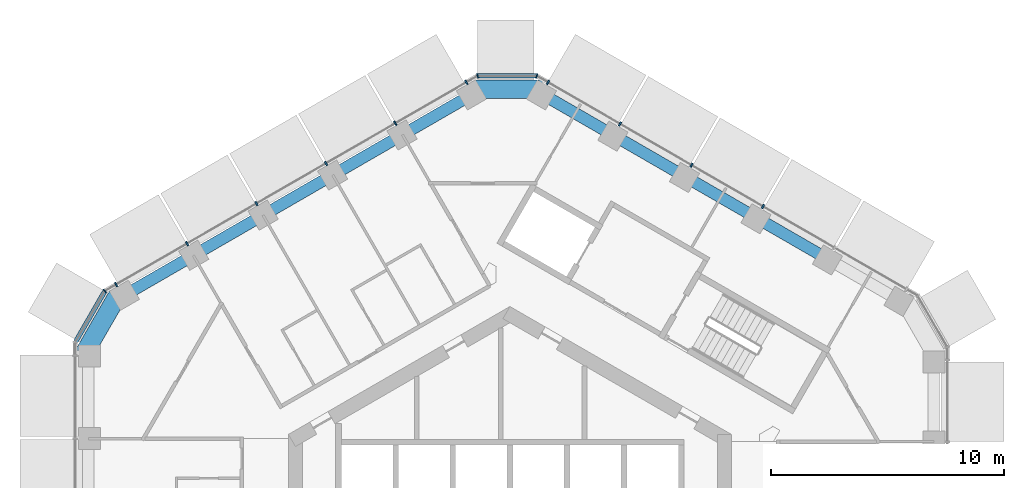
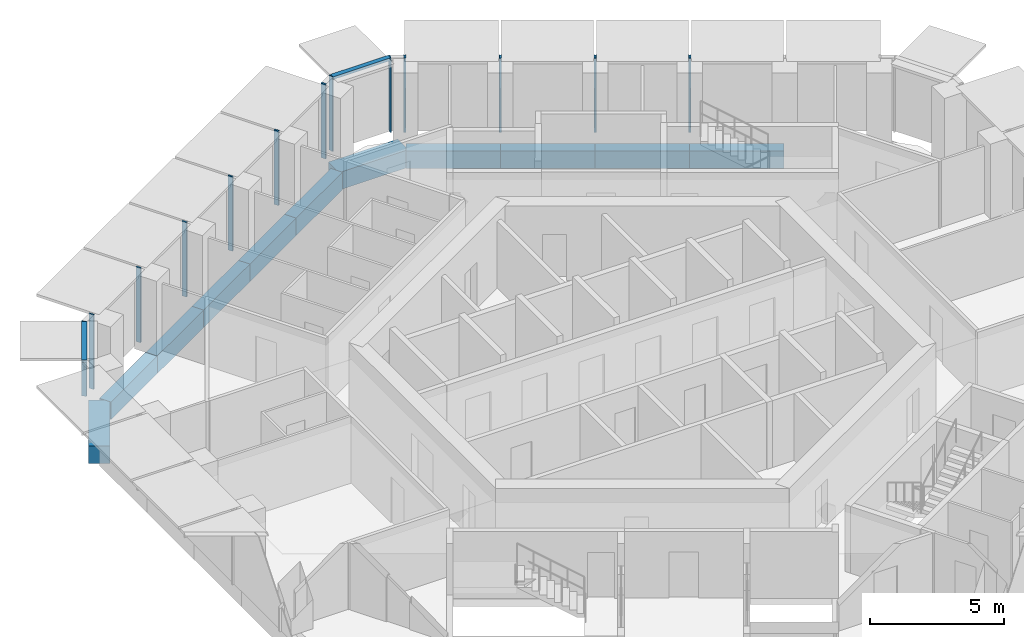
# One storey, part 6 of 18: 15 members, 11 beams, 4 elements without a shape of their own.
"""IFC4 building model written with IfcOpenShell, lengths in metres."""

from ifc_helpers import new_model, si_unit, direction, frame, origin, origin_2d, place, context, subcontext, project, spatial, rectangle, extrude, material, layer, layer_set, material_profile, profile_set, type_object, element, aggregate, save


model = new_model("IFC4")

# Units and contexts
model_context = context("Model", 3, precision=1e-05, world=origin(), true_north=direction((0.0, 1.0)))
body_context = subcontext(model_context, "Body", "Model", "MODEL_VIEW")
ifc_project = project(units=[si_unit("LENGTHUNIT", "METRE"), si_unit("AREAUNIT", "SQUARE_METRE"), si_unit("VOLUMEUNIT", "CUBIC_METRE"), si_unit("PLANEANGLEUNIT", "RADIAN"), si_unit("MASSUNIT", "GRAM", prefix="KILO")], contexts=[model_context])

# Site, building, storey
site_placement = place(None, origin())
site = spatial("IfcSite", under=ifc_project, at=site_placement, CompositionType="ELEMENT")
building_placement = place(site_placement, origin())
building = spatial("IfcBuilding", under=site, at=building_placement, Name="Ayvan Gate Tower", CompositionType="ELEMENT")
storey_placement = place(building_placement, frame((0.0, 0.0, 159.5)))
storey = spatial("IfcBuildingStorey", under=building, at=storey_placement, Name="L42", CompositionType="ELEMENT", Elevation=159.5)

# Beams
ifc_material_1 = material(Name="Concrete C40/50", Category="concrete")
ifc_material_profile_1 = material_profile(ifc_material_1, rectangle(XDim=0.800048828125, YDim=0.800048828125, at=origin_2d()), Name="RC 800x800")
ifc_profile_set_1 = profile_set([ifc_material_profile_1], Name="Concrete C40/50")
beam_type_1 = type_object("IfcBeamType", Name="Corner spandrel beam RC 800x800 C40/50", PredefinedType="BEAM", material=ifc_profile_set_1)
for number, where, z_axis, x_axis, name in (
    (1, (1.394287109375, 20.29296875, -0.75), (-1.0, 0.0, 0.0), (0.0, -1.0, 0.0), "SB-L42-12"),
    (2, (-16.771484375, 11.537109375, -0.75), (-0.499990139034, -0.866031096941, 0.0), (0.866031096941, -0.499990139034, 0.0), "SB-L42-18"),
):
    element("IfcBeam", number, at=place(storey_placement, frame(where, z_axis=z_axis, x_axis=x_axis)), inside=storey, type_object=beam_type_1, Name=name, PredefinedType="BEAM", context=body_context, shape_type="SweptSolid", body=[
        extrude(rectangle(XDim=0.800048828125, YDim=0.800048828125, at=origin_2d()), origin(), (0.0, 0.0, 1.0), 3.0),
    ])
ifc_material_profile_2 = material_profile(ifc_material_1, rectangle(XDim=0.5, YDim=0.800048828125, at=origin_2d()), Name="RC 500x800")
ifc_profile_set_2 = profile_set([ifc_material_profile_2], Name="Concrete C40/50")
beam_type_2 = type_object("IfcBeamType", Name="Spandrel beam RC 500x800 C40/50", PredefinedType="BEAM", material=ifc_profile_set_2)
beam_1_placement = place(storey_placement, frame((13.628173828125, 13.009765625, -0.75), z_axis=(-0.866026725994, 0.499997709859, 0.0), x_axis=(-0.499997709859, -0.866026725994, 0.0)))
element("IfcBeam", 3, at=beam_1_placement, inside=storey, type_object=beam_type_2, Name="SB-L42-8", PredefinedType="BEAM", context=body_context, shape_type="SweptSolid", body=[
    extrude(rectangle(XDim=0.5, YDim=0.800048828125, at=origin_2d()), origin(), (0.0, 0.0, 1.0), 3.53173828125),
])
for number, where, z_axis, x_axis, name in (
    (4, (10.569580078125, 14.775634765625, -0.75), (-0.866009442777, 0.500027644257, 0.0), (-0.500027644257, -0.866009442777, 0.0), "SB-L42-9"),
    (5, (7.51123046875, 16.54150390625, -0.75), (-0.866039378151, 0.499975794906, 0.0), (-0.499975794906, -0.866039378151, 0.0), "SB-L42-10"),
):
    element("IfcBeam", number, at=place(storey_placement, frame(where, z_axis=z_axis, x_axis=x_axis)), inside=storey, type_object=beam_type_2, Name=name, PredefinedType="BEAM", context=body_context, shape_type="SweptSolid", body=[
        extrude(rectangle(XDim=0.5, YDim=0.800048828125, at=origin_2d()), origin(), (0.0, 0.0, 1.0), 3.531494140625),
    ])
beam_2_placement = place(storey_placement, frame((4.452880859375, 18.30712890625, -0.75), z_axis=(-0.866026725994, 0.499997709859, 0.0), x_axis=(-0.499997709859, -0.866026725994, 0.0)))
element("IfcBeam", 6, at=beam_2_placement, inside=storey, type_object=beam_type_2, Name="SB-L42-11", PredefinedType="BEAM", context=body_context, shape_type="SweptSolid", body=[
    extrude(rectangle(XDim=0.5, YDim=0.800048828125, at=origin_2d()), origin(), (0.0, 0.0, 1.0), 3.53173828125),
])
beam_3_placement = place(storey_placement, frame((-1.605712890625, 20.072998046875, -0.75), z_axis=(-0.866005709019, -0.500034110783, 0.0), x_axis=(0.500034110783, -0.866005709019, 0.0)))
element("IfcBeam", 7, at=beam_3_placement, inside=storey, type_object=beam_type_2, Name="SB-L42-13", PredefinedType="BEAM", context=body_context, shape_type="SweptSolid", body=[
    extrude(rectangle(XDim=0.5, YDim=0.800048828125, at=origin_2d()), origin(), (0.0, 0.0, 1.0), 3.458251953125),
])
beam_4_placement = place(storey_placement, frame((-4.6005859375, 18.34375, -0.75), z_axis=(-0.866023358902, -0.500003541824, 0.0), x_axis=(0.500003541824, -0.866023358902, 0.0)))
element("IfcBeam", 8, at=beam_4_placement, inside=storey, type_object=beam_type_2, Name="SB-L42-14", PredefinedType="BEAM", context=body_context, shape_type="SweptSolid", body=[
    extrude(rectangle(XDim=0.5, YDim=0.800048828125, at=origin_2d()), origin(), (0.0, 0.0, 1.0), 3.45849609375),
])
beam_5_placement = place(storey_placement, frame((-7.595703125, 16.614501953125, -0.75), z_axis=(-0.866053925764, -0.499950595228, 0.0), x_axis=(0.499950595228, -0.866053925764, 0.0)))
element("IfcBeam", 9, at=beam_5_placement, inside=storey, type_object=beam_type_2, Name="SB-L42-15", PredefinedType="BEAM", context=body_context, shape_type="SweptSolid", body=[
    extrude(rectangle(XDim=0.5, YDim=0.800048828125, at=origin_2d()), origin(), (0.0, 0.0, 1.0), 3.458251953125),
])
beam_6_placement = place(storey_placement, frame((-10.5908203125, 14.885498046875, -0.75), z_axis=(-0.866023358902, -0.500003541824, 0.0), x_axis=(0.500003541824, -0.866023358902, 0.0)))
element("IfcBeam", 10, at=beam_6_placement, inside=storey, type_object=beam_type_2, Name="SB-L42-16", PredefinedType="BEAM", context=body_context, shape_type="SweptSolid", body=[
    extrude(rectangle(XDim=0.5, YDim=0.800048828125, at=origin_2d()), origin(), (0.0, 0.0, 1.0), 3.45849609375),
])
beam_7_placement = place(storey_placement, frame((-13.5859375, 13.15625, -0.75), z_axis=(-0.866005709019, -0.500034110783, 0.0), x_axis=(0.500034110783, -0.866005709019, 0.0)))
element("IfcBeam", 11, at=beam_7_placement, inside=storey, type_object=beam_type_2, Name="SB-L42-17", PredefinedType="BEAM", context=body_context, shape_type="SweptSolid", body=[
    extrude(rectangle(XDim=0.5, YDim=0.800048828125, at=origin_2d()), origin(), (0.0, 0.0, 1.0), 3.458251953125),
])

# Curtain wall, members
ifc_material_2 = material(Name="Bronze anodised aluminium", Category="aluminium")
ifc_layer_1 = layer(ifc_material_2, 0.199951171875)
ifc_layer_set_1 = layer_set([ifc_layer_1], Name="Bronze anodised aluminium")
curtain_wall_type_1 = type_object("IfcCurtainWallType", Name="Stick curtain wall CW-2", PredefinedType="NOTDEFINED", material=ifc_layer_set_1)
curtain_wall_1_placement = place(storey_placement, origin())
curtain_wall_1 = element("IfcCurtainWall", 12, at=curtain_wall_1_placement, inside=storey, type_object=curtain_wall_type_1, Name="Stick curtain wall CW-2 L42", PredefinedType="NOTDEFINED")
ifc_material_profile_3 = material_profile(ifc_material_2, rectangle(XDim=0.199951171875, YDim=0.070068359375, at=origin_2d()), Name="Stick curtain wall CW-2 mullion 200 x 70")
ifc_profile_set_3 = profile_set([ifc_material_profile_3], Name="Bronze anodised aluminium")
member_type_1 = type_object("IfcMemberType", Name="Stick curtain wall CW-2 mullion 200 x 70", PredefinedType="MULLION", material=ifc_profile_set_3)
member_1_placement = place(storey_placement, frame((-1.870849609375, 20.583740234375, 0.0), z_axis=(0.0, 0.0, 1.0), x_axis=(-0.5, 0.866025403784, 0.0)))
member_1 = element("IfcMember", 13, at=member_1_placement, type_object=member_type_1, Name="CW-2 mullion 1", PredefinedType="MULLION", context=body_context, shape_type="SweptSolid", body=[
    extrude(rectangle(XDim=0.199951171875, YDim=0.070068359375, at=origin_2d()), origin(), (0.0, 0.0, 1.0), 3.39990234375),
])
member_2_placement = place(storey_placement, frame((-4.9140625, 18.82666015625, 0.0), z_axis=(0.0, 0.0, 1.0), x_axis=(-0.5, 0.866025403784, 0.0)))
member_2 = element("IfcMember", 14, at=member_2_placement, type_object=member_type_1, Name="CW-2 mullion 2", PredefinedType="MULLION", context=body_context, shape_type="SweptSolid", body=[
    extrude(rectangle(XDim=0.199951171875, YDim=0.070068359375, at=origin_2d()), origin(), (0.0, 0.0, 1.0), 3.39990234375),
])
member_3_placement = place(storey_placement, frame((-7.8916015625, 17.107666015625, 0.0), z_axis=(0.0, 0.0, 1.0), x_axis=(-0.5, 0.866025403784, 0.0)))
member_3 = element("IfcMember", 15, at=member_3_placement, type_object=member_type_1, Name="CW-2 mullion 3", PredefinedType="MULLION", context=body_context, shape_type="SweptSolid", body=[
    extrude(rectangle(XDim=0.199951171875, YDim=0.070068359375, at=origin_2d()), origin(), (0.0, 0.0, 1.0), 3.39990234375),
])
member_4_placement = place(storey_placement, frame((-10.869873046875, 15.38818359375, 0.0), z_axis=(0.0, 0.0, 1.0), x_axis=(-0.5, 0.866025403784, 0.0)))
member_4 = element("IfcMember", 16, at=member_4_placement, type_object=member_type_1, Name="CW-2 mullion 4", PredefinedType="MULLION", context=body_context, shape_type="SweptSolid", body=[
    extrude(rectangle(XDim=0.199951171875, YDim=0.070068359375, at=origin_2d()), origin(), (0.0, 0.0, 1.0), 3.39990234375),
])
member_5_placement = place(storey_placement, frame((-13.84814453125, 13.668701171875, 0.0), z_axis=(0.0, 0.0, 1.0), x_axis=(-0.5, 0.866025403784, 0.0)))
member_5 = element("IfcMember", 17, at=member_5_placement, type_object=member_type_1, Name="CW-2 mullion 5", PredefinedType="MULLION", context=body_context, shape_type="SweptSolid", body=[
    extrude(rectangle(XDim=0.199951171875, YDim=0.070068359375, at=origin_2d()), origin(), (0.0, 0.0, 1.0), 3.39990234375),
])
member_6_placement = place(storey_placement, frame((-16.890625, 11.912109375, 0.0), z_axis=(0.0, 0.0, 1.0), x_axis=(-0.5, 0.866025403784, 0.0)))
member_6 = element("IfcMember", 18, at=member_6_placement, type_object=member_type_1, Name="CW-2 mullion 6", PredefinedType="MULLION", context=body_context, shape_type="SweptSolid", body=[
    extrude(rectangle(XDim=0.199951171875, YDim=0.070068359375, at=origin_2d()), origin(), (0.0, 0.0, 1.0), 3.39990234375),
])
aggregate(curtain_wall_1, [member_1, member_2, member_3, member_4, member_5, member_6])

curtain_wall_2_placement = place(storey_placement, origin())
curtain_wall_2 = element("IfcCurtainWall", 19, at=curtain_wall_2_placement, inside=storey, type_object=curtain_wall_type_1, Name="Stick curtain wall CW-2 L42", PredefinedType="NOTDEFINED")
member_7_placement = place(storey_placement, frame((10.855224609375, 15.259521484375, 0.0), z_axis=(0.0, 0.0, 1.0), x_axis=(0.5, 0.866025403784, 0.0)))
member_7 = element("IfcMember", 20, at=member_7_placement, type_object=member_type_1, Name="CW-2 mullion 3", PredefinedType="MULLION", context=body_context, shape_type="SweptSolid", body=[
    extrude(rectangle(XDim=0.199951171875, YDim=0.070068359375, at=origin_2d()), origin(), (0.0, 0.0, 1.0), 3.39990234375),
])
member_8_placement = place(storey_placement, frame((7.787841796875, 17.030517578125, 0.0), z_axis=(0.0, 0.0, 1.0), x_axis=(0.5, 0.866025403784, 0.0)))
member_8 = element("IfcMember", 21, at=member_8_placement, type_object=member_type_1, Name="CW-2 mullion 4", PredefinedType="MULLION", context=body_context, shape_type="SweptSolid", body=[
    extrude(rectangle(XDim=0.199951171875, YDim=0.070068359375, at=origin_2d()), origin(), (0.0, 0.0, 1.0), 3.39990234375),
])
member_9_placement = place(storey_placement, frame((4.72119140625, 18.801025390625, 0.0), z_axis=(0.0, 0.0, 1.0), x_axis=(0.5, 0.866025403784, 0.0)))
member_9 = element("IfcMember", 22, at=member_9_placement, type_object=member_type_1, Name="CW-2 mullion 5", PredefinedType="MULLION", context=body_context, shape_type="SweptSolid", body=[
    extrude(rectangle(XDim=0.199951171875, YDim=0.070068359375, at=origin_2d()), origin(), (0.0, 0.0, 1.0), 3.39990234375),
])
member_10_placement = place(storey_placement, frame((1.633544921875, 20.583740234375, 0.0), z_axis=(0.0, 0.0, 1.0), x_axis=(0.5, 0.866025403784, 0.0)))
member_10 = element("IfcMember", 23, at=member_10_placement, type_object=member_type_1, Name="CW-2 mullion 6", PredefinedType="MULLION", context=body_context, shape_type="SweptSolid", body=[
    extrude(rectangle(XDim=0.199951171875, YDim=0.070068359375, at=origin_2d()), origin(), (0.0, 0.0, 1.0), 3.39990234375),
])
aggregate(curtain_wall_2, [member_7, member_8, member_9, member_10])

# Curtain wall, member
ifc_layer_2 = layer(ifc_material_2, 0.199951171875)
ifc_layer_set_2 = layer_set([ifc_layer_2], Name="Bronze anodised aluminium")
curtain_wall_type_2 = type_object("IfcCurtainWallType", Name="Stick curtain wall CW-6", PredefinedType="NOTDEFINED", material=ifc_layer_set_2)
curtain_wall_3_placement = place(storey_placement, origin())
curtain_wall_3 = element("IfcCurtainWall", 24, at=curtain_wall_3_placement, inside=storey, type_object=curtain_wall_type_2, Name="Stick curtain wall CW-6 L42", PredefinedType="NOTDEFINED")
ifc_material_profile_4 = material_profile(ifc_material_2, rectangle(XDim=0.199951171875, YDim=0.050048828125, at=origin_2d()), Name="Stick curtain wall CW-6 mullion 200 x 50")
ifc_profile_set_4 = profile_set([ifc_material_profile_4], Name="Bronze anodised aluminium")
member_type_2 = type_object("IfcMemberType", Name="Stick curtain wall CW-6 mullion 200 x 50", PredefinedType="MULLION", material=ifc_profile_set_4)
member_11_placement = place(storey_placement, frame((-17.37548828125, 11.632080078125, 0.0), z_axis=(0.0, 0.0, 1.0), x_axis=(-0.707106781187, 0.707106781187, 0.0)))
member_11 = element("IfcMember", 25, at=member_11_placement, type_object=member_type_2, Name="CW-6 mullion 2", PredefinedType="MULLION", context=body_context, shape_type="SweptSolid", body=[
    extrude(rectangle(XDim=0.199951171875, YDim=0.050048828125, at=origin_2d()), origin(), (0.0, 0.0, 1.0), 3.39990234375),
])

# Curtain wall, members
curtain_wall_4_placement = place(storey_placement, origin())
curtain_wall_4 = element("IfcCurtainWall", 26, at=curtain_wall_4_placement, inside=storey, type_object=curtain_wall_type_2, Name="Stick curtain wall CW-6 L42", PredefinedType="NOTDEFINED")
member_12_placement = place(storey_placement, frame((1.148681640625, 20.86376953125, 0.0), z_axis=(0.0, 0.0, 1.0), x_axis=(0.258819045103, 0.965925826289, 0.0)))
member_12 = element("IfcMember", 27, at=member_12_placement, type_object=member_type_2, Name="CW-6 mullion 2", PredefinedType="MULLION", context=body_context, shape_type="SweptSolid", body=[
    extrude(rectangle(XDim=0.199951171875, YDim=0.050048828125, at=origin_2d()), origin(), (0.0, 0.0, 1.0), 3.39990234375),
])
member_13_placement = place(storey_placement, frame((-1.385986328125, 20.86376953125, 0.0), z_axis=(0.0, 0.0, 1.0), x_axis=(-0.258819045103, 0.965925826289, 0.0)))
member_13 = element("IfcMember", 28, at=member_13_placement, type_object=member_type_2, Name="CW-6 mullion 3", PredefinedType="MULLION", context=body_context, shape_type="SweptSolid", body=[
    extrude(rectangle(XDim=0.199951171875, YDim=0.050048828125, at=origin_2d()), origin(), (0.0, 0.0, 1.0), 3.39990234375),
])

# Member
ifc_material_profile_5 = material_profile(ifc_material_2, rectangle(XDim=0.199951171875, YDim=0.1201171875, at=origin_2d()), Name="Stick curtain wall CW-6 transom 200 x 120")
ifc_profile_set_5 = profile_set([ifc_material_profile_5], Name="Bronze anodised aluminium")
member_type_3 = type_object("IfcMemberType", Name="Stick curtain wall CW-6 transom 200 x 120", PredefinedType="USERDEFINED", material=ifc_profile_set_5)
member_14_placement = place(storey_placement, frame((-17.387939453125, 11.610595703125, 3.340087890625), z_axis=(-0.50001729717, -0.866015417028, 0.0), x_axis=(0.866015417028, -0.50001729717, 0.0)))
member_14 = element("IfcMember", 29, at=member_14_placement, type_object=member_type_3, Name="CW-6 transom 2", ObjectType="TRANSOM", PredefinedType="USERDEFINED", context=body_context, shape_type="SweptSolid", body=[
    extrude(rectangle(XDim=0.199951171875, YDim=0.1201171875, at=origin_2d()), origin(), (0.0, 0.0, 1.0), 2.48486328125),
])

aggregate(curtain_wall_3, [member_11, member_14])

member_15_placement = place(storey_placement, frame((1.12353515625, 20.86376953125, 3.340087890625), z_axis=(-1.0, 0.0, 0.0), x_axis=(0.0, -1.0, 0.0)))
member_15 = element("IfcMember", 30, at=member_15_placement, type_object=member_type_3, Name="CW-6 transom 2", ObjectType="TRANSOM", PredefinedType="USERDEFINED", context=body_context, shape_type="SweptSolid", body=[
    extrude(rectangle(XDim=0.199951171875, YDim=0.1201171875, at=origin_2d()), origin(), (0.0, 0.0, 1.0), 2.484619140625),
])

aggregate(curtain_wall_4, [member_12, member_13, member_15])

save(model, "model.ifc")
